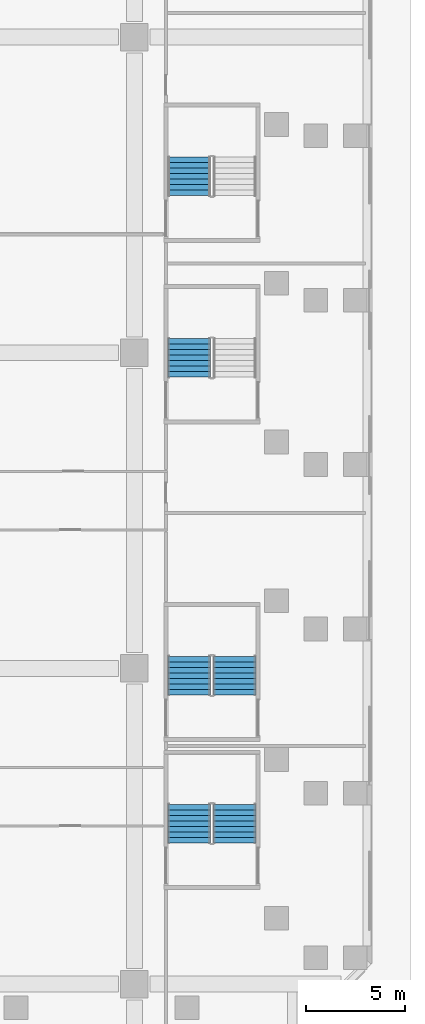
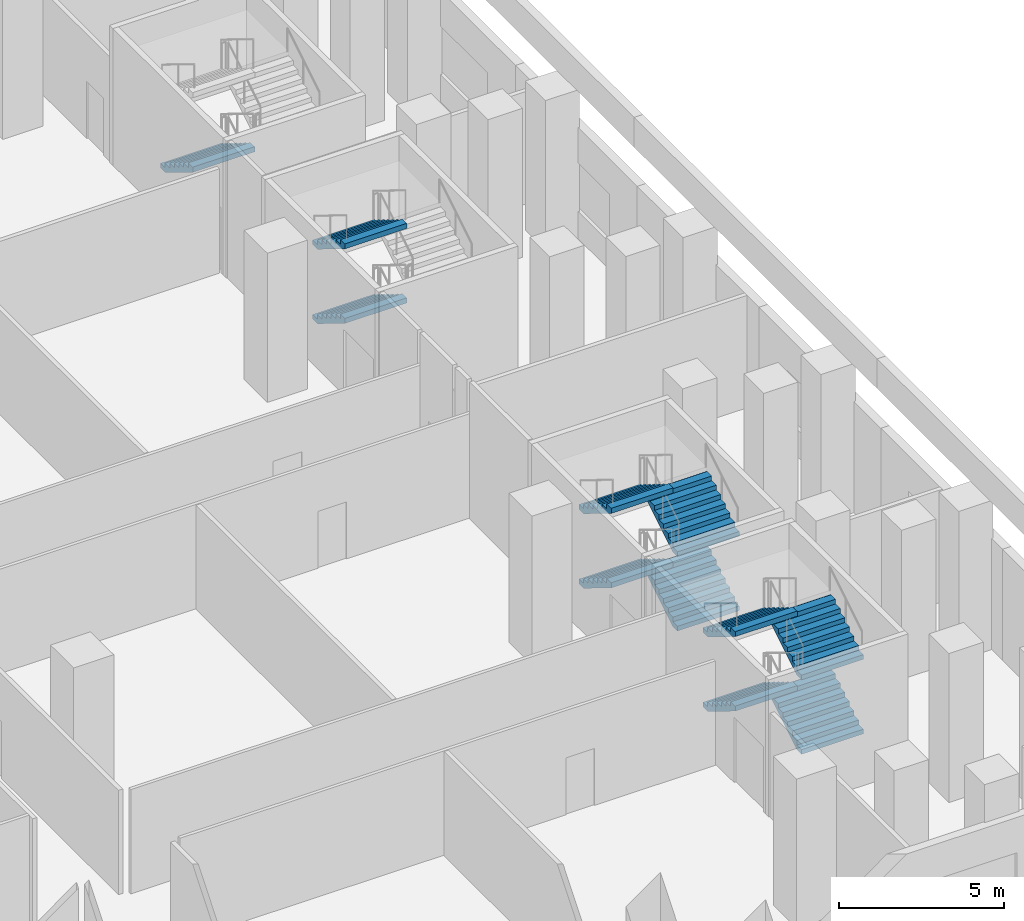
# One storey, part 16 of 22: 11 stair flights, 4 elements without a shape of their own.
"""IFC4 building model written with IfcOpenShell, lengths in metres."""

from ifc_helpers import new_model, si_unit, direction, frame, origin, place, context, subcontext, project, spatial, faceted_brep, source, transform, mapped, material, type_object, element, aggregate, save


model = new_model("IFC4")

# Units and contexts
model_context = context("Model", 3, precision=1e-05, world=origin(), true_north=direction((0.0, 1.0)))
body_context = subcontext(model_context, "Body", "Model", "MODEL_VIEW")
ifc_project = project(units=[si_unit("LENGTHUNIT", "METRE"), si_unit("AREAUNIT", "SQUARE_METRE"), si_unit("VOLUMEUNIT", "CUBIC_METRE"), si_unit("PLANEANGLEUNIT", "RADIAN"), si_unit("MASSUNIT", "GRAM", prefix="KILO")], contexts=[model_context])

# Site, building, storey
site_placement = place(None, origin())
site = spatial("IfcSite", under=ifc_project, at=site_placement, CompositionType="ELEMENT")
building_placement = place(site_placement, origin())
building = spatial("IfcBuilding", under=site, at=building_placement, Name="Calabash Gate Tower", CompositionType="ELEMENT")
storey_placement = place(building_placement, frame((0.0, 0.0, 29.0)))
storey = spatial("IfcBuildingStorey", under=building, at=storey_placement, Name="L03", CompositionType="ELEMENT", Elevation=29.0)

# Stair, stair flights
ifc_material_1 = material(Name="Concrete C40/50", Category="concrete")
stair_type = type_object("IfcStairType", Name="Public stair 32 risers of 171.9 mm", PredefinedType="HALF_TURN_STAIR", material=ifc_material_1)
stair_1_placement = place(storey_placement, origin())
stair_1 = element("IfcStair", 1, at=stair_1_placement, inside=storey, type_object=stair_type, Name="L03 Public Stair PS6", PredefinedType="HALF_TURN_STAIR")
ifc_material_2 = material(Name="Concrete C40/50", Category="concrete")
stair_flight_type = type_object("IfcStairFlightType", Name="Exit stair flight SFL", PredefinedType="STRAIGHT", material=ifc_material_2)
shared_shape = source(origin(), body_context, "Body", "Brep", [
    faceted_brep([(-0.0009765625, -1.080078125, 0.0), (0.285888671875, -1.080078125, 0.0), (1.9541015625, -1.080078125, 1.027099609375), (-0.0009765625, 1.080078125, 0.0), (1.9541015625, 1.080078125, 1.027099609375), (0.285888671875, 1.080078125, 0.0), (1.9541015625, -1.080078125, 1.215087890625), (1.952880859375, -1.080078125, 1.215087890625), (1.952880859375, 1.080078125, 1.215087890625), (1.9541015625, 1.080078125, 1.215087890625), (1.952880859375, -1.080078125, 1.203125), (1.952880859375, 1.080078125, 1.203125), (1.674072265625, -1.080078125, 1.203125), (1.674072265625, 1.080078125, 1.203125), (1.674072265625, -1.080078125, 1.03125), (1.674072265625, 1.080078125, 1.03125), (1.39501953125, -1.080078125, 1.03125), (1.39501953125, 1.080078125, 1.03125), (1.39501953125, -1.080078125, 0.859375), (1.39501953125, 1.080078125, 0.859375), (1.115966796875, -1.080078125, 0.859375), (1.115966796875, -1.080078125, 0.6875), (1.115966796875, 1.080078125, 0.6875), (1.115966796875, 1.080078125, 0.859375), (0.8369140625, -1.080078125, 0.6875), (0.8369140625, -1.080078125, 0.515625), (0.8369140625, 1.080078125, 0.515625), (0.8369140625, 1.080078125, 0.6875), (0.55810546875, -1.080078125, 0.515625), (0.55810546875, -1.080078125, 0.34375), (0.55810546875, 1.080078125, 0.34375), (0.55810546875, 1.080078125, 0.515625), (0.279052734375, -1.080078125, 0.34375), (0.279052734375, -1.080078125, 0.171875), (0.279052734375, 1.080078125, 0.171875), (0.279052734375, 1.080078125, 0.34375), (-0.0009765625, -1.080078125, 0.171875), (-0.0009765625, 1.080078125, 0.171875), (0.285888671875, -0.431884765625, 0.0), (1.9541015625, -0.431884765625, 1.027099609375), (0.285888671875, -0.370361328125, 0.0), (1.9541015625, -0.370361328125, 1.027099609375), (0.285888671875, -0.30859375, 0.0), (1.9541015625, -0.30859375, 1.027099609375), (0.285888671875, -0.246826171875, 0.0), (1.9541015625, -0.246826171875, 1.027099609375), (0.285888671875, -0.18505859375, 0.0), (1.9541015625, -0.18505859375, 1.027099609375), (0.285888671875, -0.12353515625, 0.0), (1.9541015625, -0.12353515625, 1.027099609375), (0.285888671875, -0.061767578125, 0.0), (1.9541015625, -0.061767578125, 1.027099609375), (0.285888671875, 0.0, 0.0), (1.9541015625, 0.0, 1.027099609375), (0.285888671875, 0.061767578125, 0.0), (1.9541015625, 0.061767578125, 1.027099609375), (0.285888671875, 0.12353515625, 0.0), (1.9541015625, 0.12353515625, 1.027099609375), (0.285888671875, 0.18505859375, 0.0), (1.9541015625, 0.18505859375, 1.027099609375), (0.285888671875, 0.246826171875, 0.0), (1.9541015625, 0.246826171875, 1.027099609375), (0.285888671875, 0.30859375, 0.0), (1.9541015625, 0.30859375, 1.027099609375), (0.285888671875, 0.370361328125, 0.0), (1.9541015625, 0.370361328125, 1.027099609375), (0.285888671875, 0.431884765625, 0.0), (1.9541015625, 0.431884765625, 1.027099609375), (1.9541015625, -0.431884765625, 1.215087890625), (1.9541015625, -0.370361328125, 1.215087890625), (1.9541015625, -0.30859375, 1.215087890625), (1.9541015625, -0.246826171875, 1.215087890625), (1.9541015625, -0.18505859375, 1.215087890625), (1.9541015625, -0.12353515625, 1.215087890625), (1.9541015625, -0.061767578125, 1.215087890625), (1.9541015625, 0.0, 1.215087890625), (1.9541015625, 0.061767578125, 1.215087890625), (1.9541015625, 0.12353515625, 1.215087890625), (1.9541015625, 0.18505859375, 1.215087890625), (1.9541015625, 0.246826171875, 1.215087890625), (1.9541015625, 0.30859375, 1.215087890625), (1.9541015625, 0.370361328125, 1.215087890625), (1.9541015625, 0.431884765625, 1.215087890625), (1.952880859375, -0.431884765625, 1.215087890625), (1.952880859375, -0.370361328125, 1.215087890625), (1.952880859375, -0.30859375, 1.215087890625), (1.952880859375, -0.246826171875, 1.215087890625), (1.952880859375, -0.18505859375, 1.215087890625), (1.952880859375, -0.12353515625, 1.215087890625), (1.952880859375, -0.061767578125, 1.215087890625), (1.952880859375, 0.0, 1.215087890625), (1.952880859375, 0.061767578125, 1.215087890625), (1.952880859375, 0.12353515625, 1.215087890625), (1.952880859375, 0.18505859375, 1.215087890625), (1.952880859375, 0.246826171875, 1.215087890625), (1.952880859375, 0.30859375, 1.215087890625), (1.952880859375, 0.370361328125, 1.215087890625), (1.952880859375, 0.431884765625, 1.215087890625), (1.952880859375, -0.431884765625, 1.203125), (1.952880859375, -0.370361328125, 1.203125), (1.952880859375, -0.30859375, 1.203125), (1.952880859375, -0.246826171875, 1.203125), (1.952880859375, -0.18505859375, 1.203125), (1.952880859375, -0.12353515625, 1.203125), (1.952880859375, -0.061767578125, 1.203125), (1.952880859375, 0.0, 1.203125), (1.952880859375, 0.061767578125, 1.203125), (1.952880859375, 0.12353515625, 1.203125), (1.952880859375, 0.18505859375, 1.203125), (1.952880859375, 0.246826171875, 1.203125), (1.952880859375, 0.30859375, 1.203125), (1.952880859375, 0.370361328125, 1.203125), (1.952880859375, 0.431884765625, 1.203125), (1.674072265625, -0.431884765625, 1.203125), (1.674072265625, -0.370361328125, 1.203125), (1.674072265625, -0.30859375, 1.203125), (1.674072265625, -0.246826171875, 1.203125), (1.674072265625, -0.18505859375, 1.203125), (1.674072265625, -0.12353515625, 1.203125), (1.674072265625, -0.061767578125, 1.203125), (1.674072265625, 0.0, 1.203125), (1.674072265625, 0.061767578125, 1.203125), (1.674072265625, 0.12353515625, 1.203125), (1.674072265625, 0.18505859375, 1.203125), (1.674072265625, 0.246826171875, 1.203125), (1.674072265625, 0.30859375, 1.203125), (1.674072265625, 0.370361328125, 1.203125), (1.674072265625, 0.431884765625, 1.203125), (1.674072265625, -0.431884765625, 1.03125), (1.674072265625, -0.370361328125, 1.03125), (1.674072265625, -0.30859375, 1.03125), (1.674072265625, -0.246826171875, 1.03125), (1.674072265625, -0.18505859375, 1.03125), (1.674072265625, -0.12353515625, 1.03125), (1.674072265625, -0.061767578125, 1.03125), (1.674072265625, 0.0, 1.03125), (1.674072265625, 0.061767578125, 1.03125), (1.674072265625, 0.12353515625, 1.03125), (1.674072265625, 0.18505859375, 1.03125), (1.674072265625, 0.246826171875, 1.03125), (1.674072265625, 0.30859375, 1.03125), (1.674072265625, 0.370361328125, 1.03125), (1.674072265625, 0.431884765625, 1.03125), (1.39501953125, -0.431884765625, 1.03125), (1.39501953125, -0.370361328125, 1.03125), (1.39501953125, -0.30859375, 1.03125), (1.39501953125, -0.246826171875, 1.03125), (1.39501953125, -0.18505859375, 1.03125), (1.39501953125, -0.12353515625, 1.03125), (1.39501953125, -0.061767578125, 1.03125), (1.39501953125, 0.0, 1.03125), (1.39501953125, 0.061767578125, 1.03125), (1.39501953125, 0.12353515625, 1.03125), (1.39501953125, 0.18505859375, 1.03125), (1.39501953125, 0.246826171875, 1.03125), (1.39501953125, 0.30859375, 1.03125), (1.39501953125, 0.370361328125, 1.03125), (1.39501953125, 0.431884765625, 1.03125), (1.39501953125, -0.431884765625, 0.859375), (1.39501953125, -0.370361328125, 0.859375), (1.39501953125, -0.30859375, 0.859375), (1.39501953125, -0.246826171875, 0.859375), (1.39501953125, -0.18505859375, 0.859375), (1.39501953125, -0.12353515625, 0.859375), (1.39501953125, -0.061767578125, 0.859375), (1.39501953125, 0.0, 0.859375), (1.39501953125, 0.061767578125, 0.859375), (1.39501953125, 0.12353515625, 0.859375), (1.39501953125, 0.18505859375, 0.859375), (1.39501953125, 0.246826171875, 0.859375), (1.39501953125, 0.30859375, 0.859375), (1.39501953125, 0.370361328125, 0.859375), (1.39501953125, 0.431884765625, 0.859375), (1.115966796875, -0.431884765625, 0.859375), (1.115966796875, -0.370361328125, 0.859375), (1.115966796875, -0.30859375, 0.859375), (1.115966796875, -0.246826171875, 0.859375), (1.115966796875, -0.18505859375, 0.859375), (1.115966796875, -0.12353515625, 0.859375), (1.115966796875, -0.061767578125, 0.859375), (1.115966796875, 0.0, 0.859375), (1.115966796875, 0.061767578125, 0.859375), (1.115966796875, 0.12353515625, 0.859375), (1.115966796875, 0.18505859375, 0.859375), (1.115966796875, 0.246826171875, 0.859375), (1.115966796875, 0.30859375, 0.859375), (1.115966796875, 0.370361328125, 0.859375), (1.115966796875, 0.431884765625, 0.859375), (1.115966796875, -0.431884765625, 0.6875), (1.115966796875, -0.370361328125, 0.6875), (1.115966796875, -0.30859375, 0.6875), (1.115966796875, -0.246826171875, 0.6875), (1.115966796875, -0.18505859375, 0.6875), (1.115966796875, -0.12353515625, 0.6875), (1.115966796875, -0.061767578125, 0.6875), (1.115966796875, 0.0, 0.6875), (1.115966796875, 0.061767578125, 0.6875), (1.115966796875, 0.12353515625, 0.6875), (1.115966796875, 0.18505859375, 0.6875), (1.115966796875, 0.246826171875, 0.6875), (1.115966796875, 0.30859375, 0.6875), (1.115966796875, 0.370361328125, 0.6875), (1.115966796875, 0.431884765625, 0.6875), (0.8369140625, -0.431884765625, 0.6875), (0.8369140625, -0.370361328125, 0.6875), (0.8369140625, -0.30859375, 0.6875), (0.8369140625, -0.246826171875, 0.6875), (0.8369140625, -0.18505859375, 0.6875), (0.8369140625, -0.12353515625, 0.6875), (0.8369140625, -0.061767578125, 0.6875), (0.8369140625, 0.0, 0.6875), (0.8369140625, 0.061767578125, 0.6875), (0.8369140625, 0.12353515625, 0.6875), (0.8369140625, 0.18505859375, 0.6875), (0.8369140625, 0.246826171875, 0.6875), (0.8369140625, 0.30859375, 0.6875), (0.8369140625, 0.370361328125, 0.6875), (0.8369140625, 0.431884765625, 0.6875), (0.8369140625, -0.431884765625, 0.515625), (0.8369140625, -0.370361328125, 0.515625), (0.8369140625, -0.30859375, 0.515625), (0.8369140625, -0.246826171875, 0.515625), (0.8369140625, -0.18505859375, 0.515625), (0.8369140625, -0.12353515625, 0.515625), (0.8369140625, -0.061767578125, 0.515625), (0.8369140625, 0.0, 0.515625), (0.8369140625, 0.061767578125, 0.515625), (0.8369140625, 0.12353515625, 0.515625), (0.8369140625, 0.18505859375, 0.515625), (0.8369140625, 0.246826171875, 0.515625), (0.8369140625, 0.30859375, 0.515625), (0.8369140625, 0.370361328125, 0.515625), (0.8369140625, 0.431884765625, 0.515625), (0.55810546875, -0.431884765625, 0.515625), (0.55810546875, -0.370361328125, 0.515625), (0.55810546875, -0.30859375, 0.515625), (0.55810546875, -0.246826171875, 0.515625), (0.55810546875, -0.18505859375, 0.515625), (0.55810546875, -0.12353515625, 0.515625), (0.55810546875, -0.061767578125, 0.515625), (0.55810546875, 0.0, 0.515625), (0.55810546875, 0.061767578125, 0.515625), (0.55810546875, 0.12353515625, 0.515625), (0.55810546875, 0.18505859375, 0.515625), (0.55810546875, 0.246826171875, 0.515625), (0.55810546875, 0.30859375, 0.515625), (0.55810546875, 0.370361328125, 0.515625), (0.55810546875, 0.431884765625, 0.515625), (0.55810546875, -0.431884765625, 0.34375), (0.55810546875, -0.370361328125, 0.34375), (0.55810546875, -0.30859375, 0.34375), (0.55810546875, -0.246826171875, 0.34375), (0.55810546875, -0.18505859375, 0.34375), (0.55810546875, -0.12353515625, 0.34375), (0.55810546875, -0.061767578125, 0.34375), (0.55810546875, 0.0, 0.34375), (0.55810546875, 0.061767578125, 0.34375), (0.55810546875, 0.12353515625, 0.34375), (0.55810546875, 0.18505859375, 0.34375), (0.55810546875, 0.246826171875, 0.34375), (0.55810546875, 0.30859375, 0.34375), (0.55810546875, 0.370361328125, 0.34375), (0.55810546875, 0.431884765625, 0.34375), (0.279052734375, -0.431884765625, 0.34375), (0.279052734375, -0.370361328125, 0.34375), (0.279052734375, -0.30859375, 0.34375), (0.279052734375, -0.246826171875, 0.34375), (0.279052734375, -0.18505859375, 0.34375), (0.279052734375, -0.12353515625, 0.34375), (0.279052734375, -0.061767578125, 0.34375), (0.279052734375, 0.0, 0.34375), (0.279052734375, 0.061767578125, 0.34375), (0.279052734375, 0.12353515625, 0.34375), (0.279052734375, 0.18505859375, 0.34375), (0.279052734375, 0.246826171875, 0.34375), (0.279052734375, 0.30859375, 0.34375), (0.279052734375, 0.370361328125, 0.34375), (0.279052734375, 0.431884765625, 0.34375), (0.279052734375, -0.431884765625, 0.171875), (0.279052734375, -0.370361328125, 0.171875), (0.279052734375, -0.30859375, 0.171875), (0.279052734375, -0.246826171875, 0.171875), (0.279052734375, -0.18505859375, 0.171875), (0.279052734375, -0.12353515625, 0.171875), (0.279052734375, -0.061767578125, 0.171875), (0.279052734375, 0.0, 0.171875), (0.279052734375, 0.061767578125, 0.171875), (0.279052734375, 0.12353515625, 0.171875), (0.279052734375, 0.18505859375, 0.171875), (0.279052734375, 0.246826171875, 0.171875), (0.279052734375, 0.30859375, 0.171875), (0.279052734375, 0.370361328125, 0.171875), (0.279052734375, 0.431884765625, 0.171875), (-0.0009765625, -0.431884765625, 0.171875), (-0.0009765625, -0.370361328125, 0.171875), (-0.0009765625, -0.30859375, 0.171875), (-0.0009765625, -0.246826171875, 0.171875), (-0.0009765625, -0.18505859375, 0.171875), (-0.0009765625, -0.12353515625, 0.171875), (-0.0009765625, -0.061767578125, 0.171875), (-0.0009765625, 0.0, 0.171875), (-0.0009765625, 0.061767578125, 0.171875), (-0.0009765625, 0.12353515625, 0.171875), (-0.0009765625, 0.18505859375, 0.171875), (-0.0009765625, 0.246826171875, 0.171875), (-0.0009765625, 0.30859375, 0.171875), (-0.0009765625, 0.370361328125, 0.171875), (-0.0009765625, 0.431884765625, 0.171875), (-0.0009765625, -0.431884765625, 0.0), (-0.0009765625, -0.370361328125, 0.0), (-0.0009765625, -0.30859375, 0.0), (-0.0009765625, -0.246826171875, 0.0), (-0.0009765625, -0.18505859375, 0.0), (-0.0009765625, -0.12353515625, 0.0), (-0.0009765625, -0.061767578125, 0.0), (-0.0009765625, 0.0, 0.0), (-0.0009765625, 0.061767578125, 0.0), (-0.0009765625, 0.12353515625, 0.0), (-0.0009765625, 0.18505859375, 0.0), (-0.0009765625, 0.246826171875, 0.0), (-0.0009765625, 0.30859375, 0.0), (-0.0009765625, 0.370361328125, 0.0), (-0.0009765625, 0.431884765625, 0.0)], [[[0, 1, 2]], [[3, 4, 5]], [[2, 6, 7]], [[4, 8, 9]], [[2, 7, 10]], [[4, 11, 8]], [[2, 10, 12]], [[4, 13, 11]], [[2, 12, 14]], [[4, 15, 13]], [[2, 14, 16]], [[4, 17, 15]], [[2, 16, 18]], [[4, 19, 17]], [[18, 20, 21]], [[19, 22, 23]], [[2, 18, 21]], [[4, 22, 19]], [[21, 24, 25]], [[22, 26, 27]], [[2, 21, 25]], [[4, 26, 22]], [[25, 28, 29]], [[26, 30, 31]], [[2, 25, 29]], [[4, 30, 26]], [[29, 32, 33]], [[30, 34, 35]], [[2, 29, 33]], [[4, 34, 30]], [[0, 2, 33]], [[3, 34, 4]], [[33, 36, 0]], [[34, 3, 37]], [[1, 38, 2]], [[38, 39, 2]], [[38, 40, 39]], [[40, 41, 39]], [[40, 42, 41]], [[42, 43, 41]], [[42, 44, 43]], [[44, 45, 43]], [[44, 46, 45]], [[46, 47, 45]], [[46, 48, 47]], [[48, 49, 47]], [[48, 50, 49]], [[50, 51, 49]], [[50, 52, 51]], [[52, 53, 51]], [[52, 54, 55]], [[52, 55, 53]], [[54, 56, 57]], [[54, 57, 55]], [[56, 58, 59]], [[56, 59, 57]], [[58, 60, 61]], [[58, 61, 59]], [[60, 62, 63]], [[60, 63, 61]], [[62, 64, 65]], [[62, 65, 63]], [[64, 66, 67]], [[64, 67, 65]], [[66, 5, 4]], [[66, 4, 67]], [[2, 39, 6]], [[39, 68, 6]], [[39, 41, 68]], [[41, 69, 68]], [[41, 43, 69]], [[43, 70, 69]], [[43, 45, 70]], [[45, 71, 70]], [[45, 47, 71]], [[47, 72, 71]], [[47, 49, 72]], [[49, 73, 72]], [[49, 51, 73]], [[51, 74, 73]], [[51, 53, 74]], [[53, 75, 74]], [[53, 55, 76]], [[53, 76, 75]], [[55, 57, 77]], [[55, 77, 76]], [[57, 59, 78]], [[57, 78, 77]], [[59, 61, 79]], [[59, 79, 78]], [[61, 63, 80]], [[61, 80, 79]], [[63, 65, 81]], [[63, 81, 80]], [[65, 67, 82]], [[65, 82, 81]], [[67, 4, 9]], [[67, 9, 82]], [[6, 68, 7]], [[68, 83, 7]], [[68, 69, 83]], [[69, 84, 83]], [[69, 70, 84]], [[70, 85, 84]], [[70, 71, 85]], [[71, 86, 85]], [[71, 72, 86]], [[72, 87, 86]], [[72, 73, 87]], [[73, 88, 87]], [[73, 74, 88]], [[74, 89, 88]], [[74, 75, 89]], [[75, 90, 89]], [[75, 76, 91]], [[75, 91, 90]], [[76, 77, 92]], [[76, 92, 91]], [[77, 78, 93]], [[77, 93, 92]], [[78, 79, 94]], [[78, 94, 93]], [[79, 80, 95]], [[79, 95, 94]], [[80, 81, 96]], [[80, 96, 95]], [[81, 82, 97]], [[81, 97, 96]], [[82, 9, 8]], [[82, 8, 97]], [[7, 83, 10]], [[83, 98, 10]], [[83, 84, 98]], [[84, 99, 98]], [[84, 85, 99]], [[85, 100, 99]], [[85, 86, 100]], [[86, 101, 100]], [[86, 87, 101]], [[87, 102, 101]], [[87, 88, 102]], [[88, 103, 102]], [[88, 89, 103]], [[89, 104, 103]], [[89, 90, 104]], [[90, 105, 104]], [[90, 91, 106]], [[90, 106, 105]], [[91, 92, 107]], [[91, 107, 106]], [[92, 93, 108]], [[92, 108, 107]], [[93, 94, 109]], [[93, 109, 108]], [[94, 95, 110]], [[94, 110, 109]], [[95, 96, 111]], [[95, 111, 110]], [[96, 97, 112]], [[96, 112, 111]], [[97, 8, 11]], [[97, 11, 112]], [[10, 98, 12]], [[98, 113, 12]], [[98, 99, 113]], [[99, 114, 113]], [[99, 100, 114]], [[100, 115, 114]], [[100, 101, 115]], [[101, 116, 115]], [[101, 102, 116]], [[102, 117, 116]], [[102, 103, 117]], [[103, 118, 117]], [[103, 104, 118]], [[104, 119, 118]], [[104, 105, 119]], [[105, 120, 119]], [[105, 106, 121]], [[105, 121, 120]], [[106, 107, 122]], [[106, 122, 121]], [[107, 108, 123]], [[107, 123, 122]], [[108, 109, 124]], [[108, 124, 123]], [[109, 110, 125]], [[109, 125, 124]], [[110, 111, 126]], [[110, 126, 125]], [[111, 112, 127]], [[111, 127, 126]], [[112, 11, 13]], [[112, 13, 127]], [[12, 113, 14]], [[113, 128, 14]], [[113, 114, 128]], [[114, 129, 128]], [[114, 115, 129]], [[115, 130, 129]], [[115, 116, 130]], [[116, 131, 130]], [[116, 117, 131]], [[117, 132, 131]], [[117, 118, 132]], [[118, 133, 132]], [[118, 119, 133]], [[119, 134, 133]], [[119, 120, 134]], [[120, 135, 134]], [[120, 121, 136]], [[120, 136, 135]], [[121, 122, 137]], [[121, 137, 136]], [[122, 123, 138]], [[122, 138, 137]], [[123, 124, 139]], [[123, 139, 138]], [[124, 125, 140]], [[124, 140, 139]], [[125, 126, 141]], [[125, 141, 140]], [[126, 127, 142]], [[126, 142, 141]], [[127, 13, 15]], [[127, 15, 142]], [[14, 128, 16]], [[128, 143, 16]], [[128, 129, 143]], [[129, 144, 143]], [[129, 130, 144]], [[130, 145, 144]], [[130, 131, 145]], [[131, 146, 145]], [[131, 132, 146]], [[132, 147, 146]], [[132, 133, 147]], [[133, 148, 147]], [[133, 134, 148]], [[134, 149, 148]], [[134, 135, 149]], [[135, 150, 149]], [[135, 136, 151]], [[135, 151, 150]], [[136, 137, 152]], [[136, 152, 151]], [[137, 138, 153]], [[137, 153, 152]], [[138, 139, 154]], [[138, 154, 153]], [[139, 140, 155]], [[139, 155, 154]], [[140, 141, 156]], [[140, 156, 155]], [[141, 142, 157]], [[141, 157, 156]], [[142, 15, 17]], [[142, 17, 157]], [[16, 143, 18]], [[143, 158, 18]], [[143, 144, 158]], [[144, 159, 158]], [[144, 145, 159]], [[145, 160, 159]], [[145, 146, 160]], [[146, 161, 160]], [[146, 147, 161]], [[147, 162, 161]], [[147, 148, 162]], [[148, 163, 162]], [[148, 149, 163]], [[149, 164, 163]], [[149, 150, 164]], [[150, 165, 164]], [[150, 151, 166]], [[150, 166, 165]], [[151, 152, 167]], [[151, 167, 166]], [[152, 153, 168]], [[152, 168, 167]], [[153, 154, 169]], [[153, 169, 168]], [[154, 155, 170]], [[154, 170, 169]], [[155, 156, 171]], [[155, 171, 170]], [[156, 157, 172]], [[156, 172, 171]], [[157, 17, 19]], [[157, 19, 172]], [[18, 158, 20]], [[158, 173, 20]], [[158, 159, 173]], [[159, 174, 173]], [[159, 160, 174]], [[160, 175, 174]], [[160, 161, 175]], [[161, 176, 175]], [[161, 162, 176]], [[162, 177, 176]], [[162, 163, 177]], [[163, 178, 177]], [[163, 164, 178]], [[164, 179, 178]], [[164, 165, 179]], [[165, 180, 179]], [[165, 166, 181]], [[165, 181, 180]], [[166, 167, 182]], [[166, 182, 181]], [[167, 168, 183]], [[167, 183, 182]], [[168, 169, 184]], [[168, 184, 183]], [[169, 170, 185]], [[169, 185, 184]], [[170, 171, 186]], [[170, 186, 185]], [[171, 172, 187]], [[171, 187, 186]], [[172, 19, 23]], [[172, 23, 187]], [[20, 173, 21]], [[173, 188, 21]], [[173, 174, 188]], [[174, 189, 188]], [[174, 175, 189]], [[175, 190, 189]], [[175, 176, 190]], [[176, 191, 190]], [[176, 177, 191]], [[177, 192, 191]], [[177, 178, 192]], [[178, 193, 192]], [[178, 179, 193]], [[179, 194, 193]], [[179, 180, 194]], [[180, 195, 194]], [[180, 181, 196]], [[180, 196, 195]], [[181, 182, 197]], [[181, 197, 196]], [[182, 183, 198]], [[182, 198, 197]], [[183, 184, 199]], [[183, 199, 198]], [[184, 185, 200]], [[184, 200, 199]], [[185, 186, 201]], [[185, 201, 200]], [[186, 187, 202]], [[186, 202, 201]], [[187, 23, 22]], [[187, 22, 202]], [[21, 188, 24]], [[188, 203, 24]], [[188, 189, 203]], [[189, 204, 203]], [[189, 190, 204]], [[190, 205, 204]], [[190, 191, 205]], [[191, 206, 205]], [[191, 192, 206]], [[192, 207, 206]], [[192, 193, 207]], [[193, 208, 207]], [[193, 194, 208]], [[194, 209, 208]], [[194, 195, 209]], [[195, 210, 209]], [[195, 196, 211]], [[195, 211, 210]], [[196, 197, 212]], [[196, 212, 211]], [[197, 198, 213]], [[197, 213, 212]], [[198, 199, 214]], [[198, 214, 213]], [[199, 200, 215]], [[199, 215, 214]], [[200, 201, 216]], [[200, 216, 215]], [[201, 202, 217]], [[201, 217, 216]], [[202, 22, 27]], [[202, 27, 217]], [[24, 203, 25]], [[203, 218, 25]], [[203, 204, 218]], [[204, 219, 218]], [[204, 205, 219]], [[205, 220, 219]], [[205, 206, 220]], [[206, 221, 220]], [[206, 207, 221]], [[207, 222, 221]], [[207, 208, 222]], [[208, 223, 222]], [[208, 209, 223]], [[209, 224, 223]], [[209, 210, 224]], [[210, 225, 224]], [[210, 211, 226]], [[210, 226, 225]], [[211, 212, 227]], [[211, 227, 226]], [[212, 213, 228]], [[212, 228, 227]], [[213, 214, 229]], [[213, 229, 228]], [[214, 215, 230]], [[214, 230, 229]], [[215, 216, 231]], [[215, 231, 230]], [[216, 217, 232]], [[216, 232, 231]], [[217, 27, 26]], [[217, 26, 232]], [[25, 218, 28]], [[218, 233, 28]], [[218, 219, 233]], [[219, 234, 233]], [[219, 220, 234]], [[220, 235, 234]], [[220, 221, 235]], [[221, 236, 235]], [[221, 222, 236]], [[222, 237, 236]], [[222, 223, 237]], [[223, 238, 237]], [[223, 224, 238]], [[224, 239, 238]], [[224, 225, 239]], [[225, 240, 239]], [[225, 226, 241]], [[225, 241, 240]], [[226, 227, 242]], [[226, 242, 241]], [[227, 228, 243]], [[227, 243, 242]], [[228, 229, 244]], [[228, 244, 243]], [[229, 230, 245]], [[229, 245, 244]], [[230, 231, 246]], [[230, 246, 245]], [[231, 232, 247]], [[231, 247, 246]], [[232, 26, 31]], [[232, 31, 247]], [[28, 233, 29]], [[233, 248, 29]], [[233, 234, 248]], [[234, 249, 248]], [[234, 235, 249]], [[235, 250, 249]], [[235, 236, 250]], [[236, 251, 250]], [[236, 237, 251]], [[237, 252, 251]], [[237, 238, 252]], [[238, 253, 252]], [[238, 239, 253]], [[239, 254, 253]], [[239, 240, 254]], [[240, 255, 254]], [[240, 241, 256]], [[240, 256, 255]], [[241, 242, 257]], [[241, 257, 256]], [[242, 243, 258]], [[242, 258, 257]], [[243, 244, 259]], [[243, 259, 258]], [[244, 245, 260]], [[244, 260, 259]], [[245, 246, 261]], [[245, 261, 260]], [[246, 247, 262]], [[246, 262, 261]], [[247, 31, 30]], [[247, 30, 262]], [[29, 248, 32]], [[248, 263, 32]], [[248, 249, 263]], [[249, 264, 263]], [[249, 250, 264]], [[250, 265, 264]], [[250, 251, 265]], [[251, 266, 265]], [[251, 252, 266]], [[252, 267, 266]], [[252, 253, 267]], [[253, 268, 267]], [[253, 254, 268]], [[254, 269, 268]], [[254, 255, 269]], [[255, 270, 269]], [[255, 256, 271]], [[255, 271, 270]], [[256, 257, 272]], [[256, 272, 271]], [[257, 258, 273]], [[257, 273, 272]], [[258, 259, 274]], [[258, 274, 273]], [[259, 260, 275]], [[259, 275, 274]], [[260, 261, 276]], [[260, 276, 275]], [[261, 262, 277]], [[261, 277, 276]], [[262, 30, 35]], [[262, 35, 277]], [[32, 263, 33]], [[263, 278, 33]], [[263, 264, 278]], [[264, 279, 278]], [[264, 265, 279]], [[265, 280, 279]], [[265, 266, 280]], [[266, 281, 280]], [[266, 267, 281]], [[267, 282, 281]], [[267, 268, 282]], [[268, 283, 282]], [[268, 269, 283]], [[269, 284, 283]], [[269, 270, 284]], [[270, 285, 284]], [[270, 271, 286]], [[270, 286, 285]], [[271, 272, 287]], [[271, 287, 286]], [[272, 273, 288]], [[272, 288, 287]], [[273, 274, 289]], [[273, 289, 288]], [[274, 275, 290]], [[274, 290, 289]], [[275, 276, 291]], [[275, 291, 290]], [[276, 277, 292]], [[276, 292, 291]], [[277, 35, 34]], [[277, 34, 292]], [[33, 278, 36]], [[278, 293, 36]], [[278, 279, 293]], [[279, 294, 293]], [[279, 280, 294]], [[280, 295, 294]], [[280, 281, 295]], [[281, 296, 295]], [[281, 282, 296]], [[282, 297, 296]], [[282, 283, 297]], [[283, 298, 297]], [[283, 284, 298]], [[284, 299, 298]], [[284, 285, 299]], [[285, 300, 299]], [[285, 286, 301]], [[285, 301, 300]], [[286, 287, 302]], [[286, 302, 301]], [[287, 288, 303]], [[287, 303, 302]], [[288, 289, 304]], [[288, 304, 303]], [[289, 290, 305]], [[289, 305, 304]], [[290, 291, 306]], [[290, 306, 305]], [[291, 292, 307]], [[291, 307, 306]], [[292, 34, 37]], [[292, 37, 307]], [[36, 293, 0]], [[293, 308, 0]], [[293, 294, 308]], [[294, 309, 308]], [[294, 295, 309]], [[295, 310, 309]], [[295, 296, 310]], [[296, 311, 310]], [[296, 297, 311]], [[297, 312, 311]], [[297, 298, 312]], [[298, 313, 312]], [[298, 299, 313]], [[299, 314, 313]], [[299, 300, 314]], [[300, 315, 314]], [[300, 301, 316]], [[300, 316, 315]], [[301, 302, 317]], [[301, 317, 316]], [[302, 303, 318]], [[302, 318, 317]], [[303, 304, 319]], [[303, 319, 318]], [[304, 305, 320]], [[304, 320, 319]], [[305, 306, 321]], [[305, 321, 320]], [[306, 307, 322]], [[306, 322, 321]], [[307, 37, 3]], [[307, 3, 322]], [[0, 308, 1]], [[308, 38, 1]], [[308, 309, 38]], [[309, 40, 38]], [[309, 310, 40]], [[310, 42, 40]], [[310, 311, 42]], [[311, 44, 42]], [[311, 312, 44]], [[312, 46, 44]], [[312, 313, 46]], [[313, 48, 46]], [[313, 314, 48]], [[314, 50, 48]], [[314, 315, 50]], [[315, 52, 50]], [[315, 316, 54]], [[315, 54, 52]], [[316, 317, 56]], [[316, 56, 54]], [[317, 318, 58]], [[317, 58, 56]], [[318, 319, 60]], [[318, 60, 58]], [[319, 320, 62]], [[319, 62, 60]], [[320, 321, 64]], [[320, 64, 62]], [[321, 322, 66]], [[321, 66, 64]], [[322, 3, 5]], [[322, 5, 66]]]),
])
stair_flight_1_placement = place(storey_placement, frame((37.090087890625, -32.840087890625, 0.0), z_axis=(0.0, 0.0, 1.0), x_axis=(0.0, 1.0, 0.0)))
stair_flight_1 = element("IfcStairFlight", 2, at=stair_flight_1_placement, type_object=stair_flight_type, Name="PS6 flight 1", NumberOfRisers=8, NumberOfTreads=7, PredefinedType="STRAIGHT", RiserHeight=0.171875, TreadLength=0.279, context=body_context, shape_type="MappedRepresentation", body=[
    mapped(shared_shape, transform((0.0, 0.0, 0.0), scale=1.0)),
])
stair_flight_2_placement = place(storey_placement, frame((34.780029296875, -30.886962890625, 1.375), z_axis=(0.0, 0.0, 1.0), x_axis=(0.0, -1.0, 0.0)))
stair_flight_2 = element("IfcStairFlight", 3, at=stair_flight_2_placement, type_object=stair_flight_type, Name="PS6 flight 2", NumberOfRisers=8, NumberOfTreads=7, PredefinedType="STRAIGHT", RiserHeight=0.171875, TreadLength=0.279, context=body_context, shape_type="MappedRepresentation", body=[
    mapped(shared_shape, transform((0.0, 0.0, 0.0), scale=1.0)),
])
stair_flight_3_placement = place(storey_placement, frame((37.090087890625, -32.840087890625, 2.75), z_axis=(0.0, 0.0, 1.0), x_axis=(0.0, 1.0, 0.0)))
stair_flight_3 = element("IfcStairFlight", 4, at=stair_flight_3_placement, type_object=stair_flight_type, Name="PS6 flight 3", NumberOfRisers=8, NumberOfTreads=7, PredefinedType="STRAIGHT", RiserHeight=0.171875, TreadLength=0.279, context=body_context, shape_type="MappedRepresentation", body=[
    mapped(shared_shape, transform((0.0, 0.0, 0.0), scale=1.0)),
])
stair_flight_4_placement = place(storey_placement, frame((34.780029296875, -30.886962890625, 4.125), z_axis=(0.0, 0.0, 1.0), x_axis=(0.0, -1.0, 0.0)))
stair_flight_4 = element("IfcStairFlight", 5, at=stair_flight_4_placement, type_object=stair_flight_type, Name="PS6 flight 4", NumberOfRisers=8, NumberOfTreads=7, PredefinedType="STRAIGHT", RiserHeight=0.171875, TreadLength=0.279, context=body_context, shape_type="MappedRepresentation", body=[
    mapped(shared_shape, transform((0.0, 0.0, 0.0), scale=1.0)),
])
aggregate(stair_1, [stair_flight_1, stair_flight_2, stair_flight_3, stair_flight_4])

stair_2_placement = place(storey_placement, origin())
stair_2 = element("IfcStair", 6, at=stair_2_placement, inside=storey, type_object=stair_type, Name="L03 Public Stair PS7", PredefinedType="HALF_TURN_STAIR")
stair_flight_5_placement = place(storey_placement, frame((37.090087890625, -25.340087890625, 0.0), z_axis=(0.0, 0.0, 1.0), x_axis=(0.0, 1.0, 0.0)))
stair_flight_5 = element("IfcStairFlight", 7, at=stair_flight_5_placement, type_object=stair_flight_type, Name="PS7 flight 1", NumberOfRisers=8, NumberOfTreads=7, PredefinedType="STRAIGHT", RiserHeight=0.171875, TreadLength=0.279, context=body_context, shape_type="MappedRepresentation", body=[
    mapped(shared_shape, transform((0.0, 0.0, 0.0), scale=1.0)),
])
stair_flight_6_placement = place(storey_placement, frame((34.780029296875, -23.386962890625, 1.375), z_axis=(0.0, 0.0, 1.0), x_axis=(0.0, -1.0, 0.0)))
stair_flight_6 = element("IfcStairFlight", 8, at=stair_flight_6_placement, type_object=stair_flight_type, Name="PS7 flight 2", NumberOfRisers=8, NumberOfTreads=7, PredefinedType="STRAIGHT", RiserHeight=0.171875, TreadLength=0.279, context=body_context, shape_type="MappedRepresentation", body=[
    mapped(shared_shape, transform((0.0, 0.0, 0.0), scale=1.0)),
])
stair_flight_7_placement = place(storey_placement, frame((37.090087890625, -25.340087890625, 2.75), z_axis=(0.0, 0.0, 1.0), x_axis=(0.0, 1.0, 0.0)))
stair_flight_7 = element("IfcStairFlight", 9, at=stair_flight_7_placement, type_object=stair_flight_type, Name="PS7 flight 3", NumberOfRisers=8, NumberOfTreads=7, PredefinedType="STRAIGHT", RiserHeight=0.171875, TreadLength=0.279, context=body_context, shape_type="MappedRepresentation", body=[
    mapped(shared_shape, transform((0.0, 0.0, 0.0), scale=1.0)),
])
stair_flight_8_placement = place(storey_placement, frame((34.780029296875, -23.386962890625, 4.125), z_axis=(0.0, 0.0, 1.0), x_axis=(0.0, -1.0, 0.0)))
stair_flight_8 = element("IfcStairFlight", 10, at=stair_flight_8_placement, type_object=stair_flight_type, Name="PS7 flight 4", NumberOfRisers=8, NumberOfTreads=7, PredefinedType="STRAIGHT", RiserHeight=0.171875, TreadLength=0.279, context=body_context, shape_type="MappedRepresentation", body=[
    mapped(shared_shape, transform((0.0, 0.0, 0.0), scale=1.0)),
])
aggregate(stair_2, [stair_flight_5, stair_flight_6, stair_flight_7, stair_flight_8])

stair_3_placement = place(storey_placement, origin())
stair_3 = element("IfcStair", 11, at=stair_3_placement, inside=storey, type_object=stair_type, Name="L03 Public Stair PS8", PredefinedType="HALF_TURN_STAIR")
stair_flight_9_placement = place(storey_placement, frame((34.780029296875, -7.287109375, 1.375), z_axis=(0.0, 0.0, 1.0), x_axis=(0.0, -1.0, 0.0)))
stair_flight_9 = element("IfcStairFlight", 12, at=stair_flight_9_placement, type_object=stair_flight_type, Name="PS8 flight 2", NumberOfRisers=8, NumberOfTreads=7, PredefinedType="STRAIGHT", RiserHeight=0.171875, TreadLength=0.279, context=body_context, shape_type="MappedRepresentation", body=[
    mapped(shared_shape, transform((0.0, 0.0, 0.0), scale=1.0)),
])
stair_flight_10_placement = place(storey_placement, frame((34.780029296875, -7.287109375, 4.125), z_axis=(0.0, 0.0, 1.0), x_axis=(0.0, -1.0, 0.0)))
stair_flight_10 = element("IfcStairFlight", 13, at=stair_flight_10_placement, type_object=stair_flight_type, Name="PS8 flight 4", NumberOfRisers=8, NumberOfTreads=7, PredefinedType="STRAIGHT", RiserHeight=0.171875, TreadLength=0.279, context=body_context, shape_type="MappedRepresentation", body=[
    mapped(shared_shape, transform((0.0, 0.0, 0.0), scale=1.0)),
])
aggregate(stair_3, [stair_flight_9, stair_flight_10])

# Stair, stair flight
stair_4_placement = place(storey_placement, origin())
stair_4 = element("IfcStair", 14, at=stair_4_placement, inside=storey, type_object=stair_type, Name="L03 Public Stair PS9", PredefinedType="HALF_TURN_STAIR")
stair_flight_11_placement = place(storey_placement, frame((34.780029296875, 1.9130859375, 1.375), z_axis=(0.0, 0.0, 1.0), x_axis=(0.0, -1.0, 0.0)))
stair_flight_11 = element("IfcStairFlight", 15, at=stair_flight_11_placement, type_object=stair_flight_type, Name="PS9 flight 2", NumberOfRisers=8, NumberOfTreads=7, PredefinedType="STRAIGHT", RiserHeight=0.171875, TreadLength=0.279, context=body_context, shape_type="MappedRepresentation", body=[
    mapped(shared_shape, transform((0.0, 0.0, 0.0), scale=1.0)),
])
aggregate(stair_4, [stair_flight_11])

save(model, "model.ifc")
